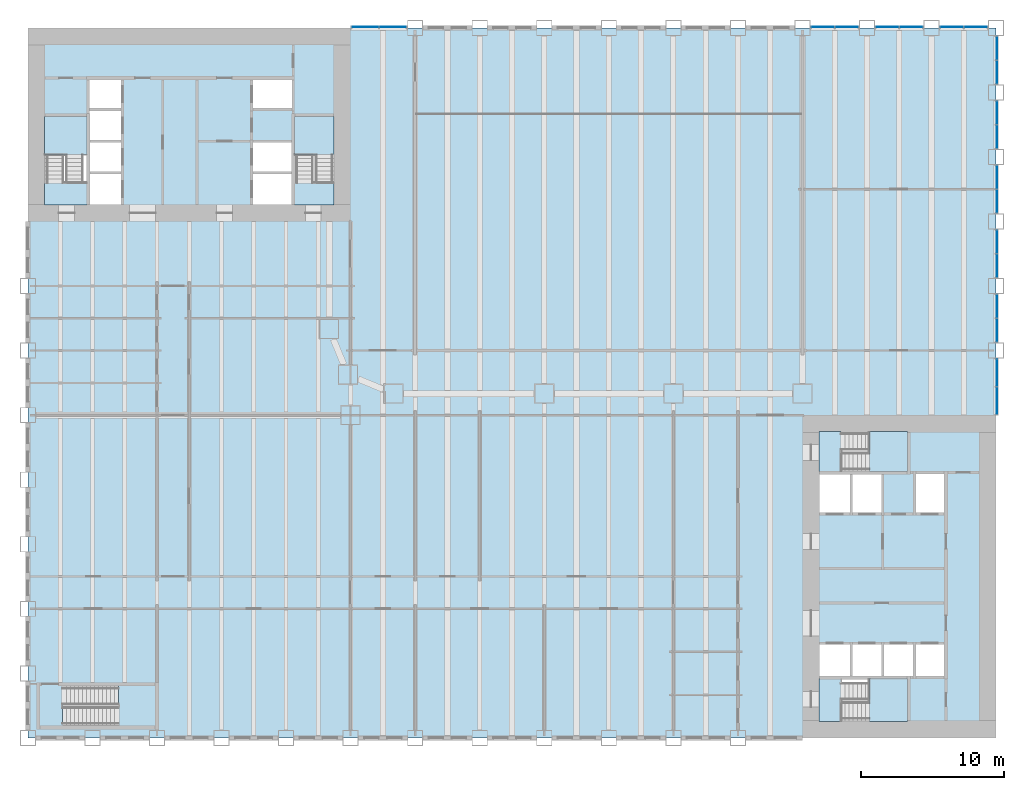
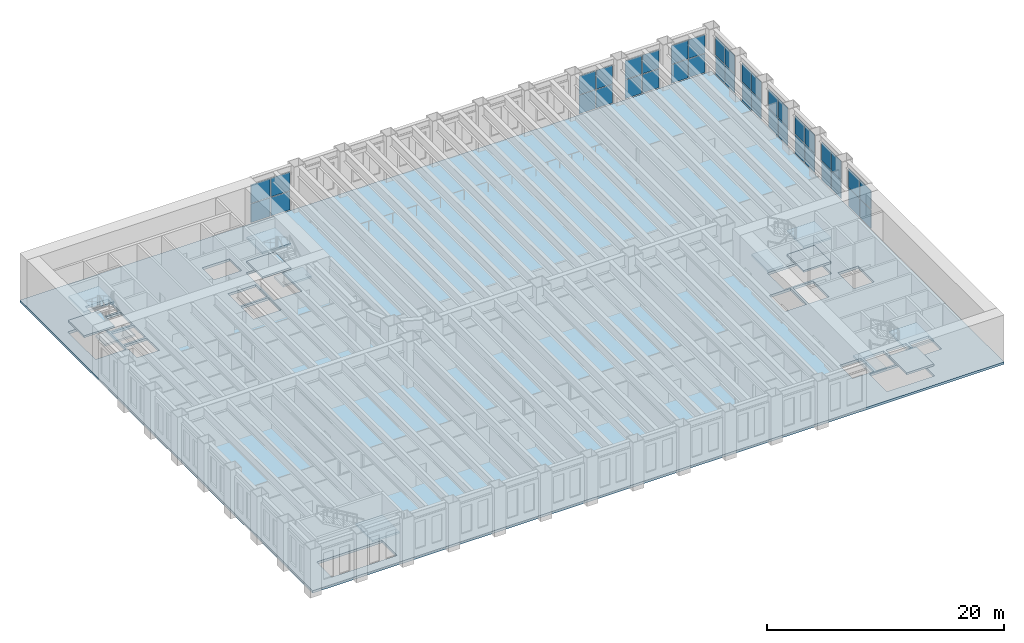
# One storey, part 6 of 19: 40 plates, 14 slabs, 15 elements without a shape of their own.
"""IFC4 building model written with IfcOpenShell, lengths in metres."""

from ifc_helpers import new_model, si_unit, direction, frame, origin, origin_2d, place, context, subcontext, project, spatial, polyline, rectangle, outline, extrude, material, layer, layer_set, type_object, element, aggregate, save


model = new_model("IFC4")

# Units and contexts
model_context = context("Model", 3, precision=1e-05, world=origin(), true_north=direction((0.0, 1.0)))
body_context = subcontext(model_context, "Body", "Model", "MODEL_VIEW")
ifc_project = project(units=[si_unit("LENGTHUNIT", "METRE"), si_unit("AREAUNIT", "SQUARE_METRE"), si_unit("VOLUMEUNIT", "CUBIC_METRE"), si_unit("PLANEANGLEUNIT", "RADIAN"), si_unit("MASSUNIT", "GRAM", prefix="KILO")], contexts=[model_context])

# Site, building, storey
site_placement = place(None, origin())
site = spatial("IfcSite", under=ifc_project, at=site_placement, CompositionType="ELEMENT")
building_placement = place(site_placement, origin())
building = spatial("IfcBuilding", under=site, at=building_placement, Name="Sennacour Bend Tower", CompositionType="ELEMENT")
storey_placement = place(building_placement, frame((0.0, 0.0, 14.0)))
storey = spatial("IfcBuildingStorey", under=building, at=storey_placement, Name="L02", CompositionType="ELEMENT", Elevation=14.0)

# Slab
ifc_material_1 = material(Name="Concrete C30/37", Category="concrete")
ifc_layer_1 = layer(ifc_material_1, 0.25, Name="Concrete C30/37", Category="concrete")
ifc_layer_set_1 = layer_set([ifc_layer_1], Name="Concrete C30/37")
slab_type_1 = type_object("IfcSlabType", Name="Floor slab 250", PredefinedType="FLOOR", material=ifc_layer_set_1)
slab_1_placement = place(storey_placement, frame((0.0, 0.0, -0.25)))
element("IfcSlab", 1, at=slab_1_placement, inside=storey, type_object=slab_type_1, Name="Floor slab L02-01", PredefinedType="FLOOR", context=body_context, shape_type="SweptSolid", body=[
    extrude(outline(polyline([(0.0, 0.0), (0.0, 49.5), (67.5, 49.5), (67.5, 0.0), (0.0, 0.0)]), holes=[polyline([(8.800048828125, 0.949951171875), (8.800048828125, 3.5), (2.429931640625, 3.5), (2.429931640625, 0.949951171875), (8.800048828125, 0.949951171875)]), polyline([(6.5, 37.199951171875), (6.5, 39.300048828125), (4.300048828125, 39.300048828125), (4.300048828125, 37.199951171875), (6.5, 37.199951171875)]), polyline([(18.39990234375, 37.199951171875), (18.39990234375, 39.300048828125), (15.699951171875, 39.300048828125), (15.699951171875, 37.199951171875), (18.39990234375, 37.199951171875)]), polyline([(6.5, 39.5), (6.5, 41.5), (4.300048828125, 41.5), (4.300048828125, 39.5), (6.5, 39.5)]), polyline([(18.39990234375, 39.5), (18.39990234375, 41.5), (15.699951171875, 41.5), (15.699951171875, 39.5), (18.39990234375, 39.5)]), polyline([(4.125, 38.72998046875), (4.125, 43.39990234375), (1.14990234375, 43.39990234375), (1.14990234375, 38.72998046875), (4.125, 38.72998046875)]), polyline([(21.35009765625, 38.72998046875), (21.35009765625, 43.39990234375), (18.574951171875, 43.39990234375), (18.574951171875, 38.72998046875), (21.35009765625, 38.72998046875)]), polyline([(4.300048828125, 41.699951171875), (6.5, 41.699951171875), (6.5, 43.699951171875), (4.300048828125, 43.699951171875), (4.300048828125, 41.699951171875)]), polyline([(4.300048828125, 43.89990234375), (6.5, 43.89990234375), (6.5, 45.89990234375), (4.300048828125, 45.89990234375), (4.300048828125, 43.89990234375)]), polyline([(18.39990234375, 43.89990234375), (18.39990234375, 45.89990234375), (15.699951171875, 45.89990234375), (15.699951171875, 43.89990234375), (18.39990234375, 43.89990234375)]), polyline([(61.39990234375, 1.14990234375), (61.39990234375, 4.125), (56.72998046875, 4.125), (56.72998046875, 1.14990234375), (61.39990234375, 1.14990234375)]), polyline([(57.300048828125, 4.300048828125), (57.300048828125, 6.5), (55.199951171875, 6.5), (55.199951171875, 4.300048828125), (57.300048828125, 4.300048828125)]), polyline([(57.5, 4.300048828125), (59.5, 4.300048828125), (59.5, 6.5), (57.5, 6.5), (57.5, 4.300048828125)]), polyline([(59.699951171875, 4.300048828125), (61.699951171875, 4.300048828125), (61.699951171875, 6.5), (59.699951171875, 6.5), (59.699951171875, 4.300048828125)]), polyline([(63.89990234375, 4.300048828125), (63.89990234375, 6.5), (61.89990234375, 6.5), (61.89990234375, 4.300048828125), (63.89990234375, 4.300048828125)]), polyline([(57.300048828125, 15.699951171875), (57.300048828125, 18.39990234375), (55.199951171875, 18.39990234375), (55.199951171875, 15.699951171875), (57.300048828125, 15.699951171875)]), polyline([(59.5, 15.699951171875), (59.5, 18.39990234375), (57.5, 18.39990234375), (57.5, 15.699951171875), (59.5, 15.699951171875)]), polyline([(61.89990234375, 15.699951171875), (63.89990234375, 15.699951171875), (63.89990234375, 18.39990234375), (61.89990234375, 18.39990234375), (61.89990234375, 15.699951171875)]), polyline([(56.72998046875, 18.574951171875), (61.39990234375, 18.574951171875), (61.39990234375, 21.35009765625), (56.72998046875, 21.35009765625), (56.72998046875, 18.574951171875)])]), origin(), (0.0, 0.0, 1.0), 0.25),
])

# Curtain wall, plates
ifc_material_2 = material(Name="Bronze anodised aluminium curtain wall with clear glass", Category="aluminium")
curtain_wall_type = type_object("IfcCurtainWallType", Name="CURTAIN WALL NOTCH", PredefinedType="NOTDEFINED", material=ifc_material_2)
curtain_wall_1_placement = place(storey_placement, origin())
curtain_wall_1 = element("IfcCurtainWall", 2, at=curtain_wall_1_placement, inside=storey, type_object=curtain_wall_type, Name="Podium glass wall L02", PredefinedType="NOTDEFINED")
ifc_material_3 = material(Name="Clear low-emissivity glass", Category="glass")
ifc_layer_2 = layer(ifc_material_3, 0.031982421875, Name="Clear low-emissivity glass", Category="glass")
ifc_layer_set_2 = layer_set([ifc_layer_2], Name="Clear low-emissivity glass")
plate_type = type_object("IfcPlateType", Name="PNL-GLASS-IGU32", PredefinedType="CURTAIN_PANEL", material=ifc_layer_set_2)
plate_1_placement = place(storey_placement, frame((67.550048828125, 23.503173828125, 0.06005859375), z_axis=(0.0, 0.0, 1.0), x_axis=(0.0, 1.0, 0.0)))
plate_1 = element("IfcPlate", 3, at=plate_1_placement, type_object=plate_type, Name="GW2 curtain wall panel 1.1", PredefinedType="CURTAIN_PANEL", context=body_context, shape_type="SweptSolid", body=[
    extrude(rectangle(XDim=1.884521484375, YDim=0.031982421875, at=origin_2d()), origin(), (0.0, 0.0, 1.0), 1.927978515625),
])
plate_2_placement = place(storey_placement, frame((67.550048828125, 23.503173828125, 2.0478515625), z_axis=(0.0, 0.0, 1.0), x_axis=(0.0, 1.0, 0.0)))
plate_2 = element("IfcPlate", 4, at=plate_2_placement, type_object=plate_type, Name="GW2 curtain wall panel 1.2", PredefinedType="CURTAIN_PANEL", context=body_context, shape_type="SweptSolid", body=[
    extrude(rectangle(XDim=1.884521484375, YDim=0.031982421875, at=origin_2d()), origin(), (0.0, 0.0, 1.0), 1.927978515625),
])
plate_3_placement = place(storey_placement, frame((67.550048828125, 25.44775390625, 0.06005859375), z_axis=(0.0, 0.0, 1.0), x_axis=(0.0, 1.0, 0.0)))
plate_3 = element("IfcPlate", 5, at=plate_3_placement, type_object=plate_type, Name="GW2 curtain wall panel 2.1", PredefinedType="CURTAIN_PANEL", context=body_context, shape_type="SweptSolid", body=[
    extrude(rectangle(XDim=1.884521484375, YDim=0.031982421875, at=origin_2d()), origin(), (0.0, 0.0, 1.0), 1.927978515625),
])
plate_4_placement = place(storey_placement, frame((67.550048828125, 25.44775390625, 2.0478515625), z_axis=(0.0, 0.0, 1.0), x_axis=(0.0, 1.0, 0.0)))
plate_4 = element("IfcPlate", 6, at=plate_4_placement, type_object=plate_type, Name="GW2 curtain wall panel 2.2", PredefinedType="CURTAIN_PANEL", context=body_context, shape_type="SweptSolid", body=[
    extrude(rectangle(XDim=1.884521484375, YDim=0.031982421875, at=origin_2d()), origin(), (0.0, 0.0, 1.0), 1.927978515625),
])
aggregate(curtain_wall_1, [plate_1, plate_2, plate_3, plate_4])

curtain_wall_2_placement = place(storey_placement, origin())
curtain_wall_2 = element("IfcCurtainWall", 7, at=curtain_wall_2_placement, inside=storey, type_object=curtain_wall_type, Name="Podium glass wall L02", PredefinedType="NOTDEFINED")
plate_5_placement = place(storey_placement, frame((67.550048828125, 28.4150390625, 0.06005859375), z_axis=(0.0, 0.0, 1.0), x_axis=(0.0, 1.0, 0.0)))
plate_5 = element("IfcPlate", 8, at=plate_5_placement, type_object=plate_type, Name="GW2 curtain wall panel 1.1", PredefinedType="CURTAIN_PANEL", context=body_context, shape_type="SweptSolid", body=[
    extrude(rectangle(XDim=1.610107421875, YDim=0.031982421875, at=origin_2d()), origin(), (0.0, 0.0, 1.0), 1.927978515625),
])
plate_6_placement = place(storey_placement, frame((67.550048828125, 28.4150390625, 2.0478515625), z_axis=(0.0, 0.0, 1.0), x_axis=(0.0, 1.0, 0.0)))
plate_6 = element("IfcPlate", 9, at=plate_6_placement, type_object=plate_type, Name="GW2 curtain wall panel 1.2", PredefinedType="CURTAIN_PANEL", context=body_context, shape_type="SweptSolid", body=[
    extrude(rectangle(XDim=1.610107421875, YDim=0.031982421875, at=origin_2d()), origin(), (0.0, 0.0, 1.0), 1.927978515625),
])
plate_7_placement = place(storey_placement, frame((67.550048828125, 30.0849609375, 0.06005859375), z_axis=(0.0, 0.0, 1.0), x_axis=(0.0, 1.0, 0.0)))
plate_7 = element("IfcPlate", 10, at=plate_7_placement, type_object=plate_type, Name="GW2 curtain wall panel 2.1", PredefinedType="CURTAIN_PANEL", context=body_context, shape_type="SweptSolid", body=[
    extrude(rectangle(XDim=1.610107421875, YDim=0.031982421875, at=origin_2d()), origin(), (0.0, 0.0, 1.0), 1.927978515625),
])
plate_8_placement = place(storey_placement, frame((67.550048828125, 30.0849609375, 2.0478515625), z_axis=(0.0, 0.0, 1.0), x_axis=(0.0, 1.0, 0.0)))
plate_8 = element("IfcPlate", 11, at=plate_8_placement, type_object=plate_type, Name="GW2 curtain wall panel 2.2", PredefinedType="CURTAIN_PANEL", context=body_context, shape_type="SweptSolid", body=[
    extrude(rectangle(XDim=1.610107421875, YDim=0.031982421875, at=origin_2d()), origin(), (0.0, 0.0, 1.0), 1.927978515625),
])
aggregate(curtain_wall_2, [plate_5, plate_6, plate_7, plate_8])

curtain_wall_3_placement = place(storey_placement, origin())
curtain_wall_3 = element("IfcCurtainWall", 12, at=curtain_wall_3_placement, inside=storey, type_object=curtain_wall_type, Name="Podium glass wall L02", PredefinedType="NOTDEFINED")
plate_9_placement = place(storey_placement, frame((67.550048828125, 32.9150390625, 0.06005859375), z_axis=(0.0, 0.0, 1.0), x_axis=(0.0, 1.0, 0.0)))
plate_9 = element("IfcPlate", 13, at=plate_9_placement, type_object=plate_type, Name="GW2 curtain wall panel 1.1", PredefinedType="CURTAIN_PANEL", context=body_context, shape_type="SweptSolid", body=[
    extrude(rectangle(XDim=1.610107421875, YDim=0.031982421875, at=origin_2d()), origin(), (0.0, 0.0, 1.0), 1.927978515625),
])
plate_10_placement = place(storey_placement, frame((67.550048828125, 32.9150390625, 2.0478515625), z_axis=(0.0, 0.0, 1.0), x_axis=(0.0, 1.0, 0.0)))
plate_10 = element("IfcPlate", 14, at=plate_10_placement, type_object=plate_type, Name="GW2 curtain wall panel 1.2", PredefinedType="CURTAIN_PANEL", context=body_context, shape_type="SweptSolid", body=[
    extrude(rectangle(XDim=1.610107421875, YDim=0.031982421875, at=origin_2d()), origin(), (0.0, 0.0, 1.0), 1.927978515625),
])
plate_11_placement = place(storey_placement, frame((67.550048828125, 34.5849609375, 0.06005859375), z_axis=(0.0, 0.0, 1.0), x_axis=(0.0, 1.0, 0.0)))
plate_11 = element("IfcPlate", 15, at=plate_11_placement, type_object=plate_type, Name="GW2 curtain wall panel 2.1", PredefinedType="CURTAIN_PANEL", context=body_context, shape_type="SweptSolid", body=[
    extrude(rectangle(XDim=1.610107421875, YDim=0.031982421875, at=origin_2d()), origin(), (0.0, 0.0, 1.0), 1.927978515625),
])
plate_12_placement = place(storey_placement, frame((67.550048828125, 34.5849609375, 2.0478515625), z_axis=(0.0, 0.0, 1.0), x_axis=(0.0, 1.0, 0.0)))
plate_12 = element("IfcPlate", 16, at=plate_12_placement, type_object=plate_type, Name="GW2 curtain wall panel 2.2", PredefinedType="CURTAIN_PANEL", context=body_context, shape_type="SweptSolid", body=[
    extrude(rectangle(XDim=1.610107421875, YDim=0.031982421875, at=origin_2d()), origin(), (0.0, 0.0, 1.0), 1.927978515625),
])
aggregate(curtain_wall_3, [plate_9, plate_10, plate_11, plate_12])

curtain_wall_4_placement = place(storey_placement, origin())
curtain_wall_4 = element("IfcCurtainWall", 17, at=curtain_wall_4_placement, inside=storey, type_object=curtain_wall_type, Name="Podium glass wall L02", PredefinedType="NOTDEFINED")
plate_13_placement = place(storey_placement, frame((67.550048828125, 37.4150390625, 0.06005859375), z_axis=(0.0, 0.0, 1.0), x_axis=(0.0, 1.0, 0.0)))
plate_13 = element("IfcPlate", 18, at=plate_13_placement, type_object=plate_type, Name="GW2 curtain wall panel 1.1", PredefinedType="CURTAIN_PANEL", context=body_context, shape_type="SweptSolid", body=[
    extrude(rectangle(XDim=1.610107421875, YDim=0.031982421875, at=origin_2d()), origin(), (0.0, 0.0, 1.0), 1.927978515625),
])
plate_14_placement = place(storey_placement, frame((67.550048828125, 37.4150390625, 2.0478515625), z_axis=(0.0, 0.0, 1.0), x_axis=(0.0, 1.0, 0.0)))
plate_14 = element("IfcPlate", 19, at=plate_14_placement, type_object=plate_type, Name="GW2 curtain wall panel 1.2", PredefinedType="CURTAIN_PANEL", context=body_context, shape_type="SweptSolid", body=[
    extrude(rectangle(XDim=1.610107421875, YDim=0.031982421875, at=origin_2d()), origin(), (0.0, 0.0, 1.0), 1.927978515625),
])
plate_15_placement = place(storey_placement, frame((67.550048828125, 39.0849609375, 0.06005859375), z_axis=(0.0, 0.0, 1.0), x_axis=(0.0, 1.0, 0.0)))
plate_15 = element("IfcPlate", 20, at=plate_15_placement, type_object=plate_type, Name="GW2 curtain wall panel 2.1", PredefinedType="CURTAIN_PANEL", context=body_context, shape_type="SweptSolid", body=[
    extrude(rectangle(XDim=1.610107421875, YDim=0.031982421875, at=origin_2d()), origin(), (0.0, 0.0, 1.0), 1.927978515625),
])
plate_16_placement = place(storey_placement, frame((67.550048828125, 39.0849609375, 2.0478515625), z_axis=(0.0, 0.0, 1.0), x_axis=(0.0, 1.0, 0.0)))
plate_16 = element("IfcPlate", 21, at=plate_16_placement, type_object=plate_type, Name="GW2 curtain wall panel 2.2", PredefinedType="CURTAIN_PANEL", context=body_context, shape_type="SweptSolid", body=[
    extrude(rectangle(XDim=1.610107421875, YDim=0.031982421875, at=origin_2d()), origin(), (0.0, 0.0, 1.0), 1.927978515625),
])
aggregate(curtain_wall_4, [plate_13, plate_14, plate_15, plate_16])

curtain_wall_5_placement = place(storey_placement, origin())
curtain_wall_5 = element("IfcCurtainWall", 22, at=curtain_wall_5_placement, inside=storey, type_object=curtain_wall_type, Name="Podium glass wall L02", PredefinedType="NOTDEFINED")
plate_17_placement = place(storey_placement, frame((67.550048828125, 41.9150390625, 0.06005859375), z_axis=(0.0, 0.0, 1.0), x_axis=(0.0, 1.0, 0.0)))
plate_17 = element("IfcPlate", 23, at=plate_17_placement, type_object=plate_type, Name="GW2 curtain wall panel 1.1", PredefinedType="CURTAIN_PANEL", context=body_context, shape_type="SweptSolid", body=[
    extrude(rectangle(XDim=1.610107421875, YDim=0.031982421875, at=origin_2d()), origin(), (0.0, 0.0, 1.0), 1.927978515625),
])
plate_18_placement = place(storey_placement, frame((67.550048828125, 41.9150390625, 2.0478515625), z_axis=(0.0, 0.0, 1.0), x_axis=(0.0, 1.0, 0.0)))
plate_18 = element("IfcPlate", 24, at=plate_18_placement, type_object=plate_type, Name="GW2 curtain wall panel 1.2", PredefinedType="CURTAIN_PANEL", context=body_context, shape_type="SweptSolid", body=[
    extrude(rectangle(XDim=1.610107421875, YDim=0.031982421875, at=origin_2d()), origin(), (0.0, 0.0, 1.0), 1.927978515625),
])
plate_19_placement = place(storey_placement, frame((67.550048828125, 43.5849609375, 0.06005859375), z_axis=(0.0, 0.0, 1.0), x_axis=(0.0, 1.0, 0.0)))
plate_19 = element("IfcPlate", 25, at=plate_19_placement, type_object=plate_type, Name="GW2 curtain wall panel 2.1", PredefinedType="CURTAIN_PANEL", context=body_context, shape_type="SweptSolid", body=[
    extrude(rectangle(XDim=1.610107421875, YDim=0.031982421875, at=origin_2d()), origin(), (0.0, 0.0, 1.0), 1.927978515625),
])
plate_20_placement = place(storey_placement, frame((67.550048828125, 43.5849609375, 2.0478515625), z_axis=(0.0, 0.0, 1.0), x_axis=(0.0, 1.0, 0.0)))
plate_20 = element("IfcPlate", 26, at=plate_20_placement, type_object=plate_type, Name="GW2 curtain wall panel 2.2", PredefinedType="CURTAIN_PANEL", context=body_context, shape_type="SweptSolid", body=[
    extrude(rectangle(XDim=1.610107421875, YDim=0.031982421875, at=origin_2d()), origin(), (0.0, 0.0, 1.0), 1.927978515625),
])
aggregate(curtain_wall_5, [plate_17, plate_18, plate_19, plate_20])

curtain_wall_6_placement = place(storey_placement, origin())
curtain_wall_6 = element("IfcCurtainWall", 27, at=curtain_wall_6_placement, inside=storey, type_object=curtain_wall_type, Name="Podium glass wall L02", PredefinedType="NOTDEFINED")
plate_21_placement = place(storey_placement, frame((67.550048828125, 46.4150390625, 0.06005859375), z_axis=(0.0, 0.0, 1.0), x_axis=(0.0, 1.0, 0.0)))
plate_21 = element("IfcPlate", 28, at=plate_21_placement, type_object=plate_type, Name="GW2 curtain wall panel 1.1", PredefinedType="CURTAIN_PANEL", context=body_context, shape_type="SweptSolid", body=[
    extrude(rectangle(XDim=1.610107421875, YDim=0.031982421875, at=origin_2d()), origin(), (0.0, 0.0, 1.0), 1.927978515625),
])
plate_22_placement = place(storey_placement, frame((67.550048828125, 46.4150390625, 2.0478515625), z_axis=(0.0, 0.0, 1.0), x_axis=(0.0, 1.0, 0.0)))
plate_22 = element("IfcPlate", 29, at=plate_22_placement, type_object=plate_type, Name="GW2 curtain wall panel 1.2", PredefinedType="CURTAIN_PANEL", context=body_context, shape_type="SweptSolid", body=[
    extrude(rectangle(XDim=1.610107421875, YDim=0.031982421875, at=origin_2d()), origin(), (0.0, 0.0, 1.0), 1.927978515625),
])
plate_23_placement = place(storey_placement, frame((67.550048828125, 48.0849609375, 0.06005859375), z_axis=(0.0, 0.0, 1.0), x_axis=(0.0, 1.0, 0.0)))
plate_23 = element("IfcPlate", 30, at=plate_23_placement, type_object=plate_type, Name="GW2 curtain wall panel 2.1", PredefinedType="CURTAIN_PANEL", context=body_context, shape_type="SweptSolid", body=[
    extrude(rectangle(XDim=1.610107421875, YDim=0.031982421875, at=origin_2d()), origin(), (0.0, 0.0, 1.0), 1.927978515625),
])
plate_24_placement = place(storey_placement, frame((67.550048828125, 48.0849609375, 2.0478515625), z_axis=(0.0, 0.0, 1.0), x_axis=(0.0, 1.0, 0.0)))
plate_24 = element("IfcPlate", 31, at=plate_24_placement, type_object=plate_type, Name="GW2 curtain wall panel 2.2", PredefinedType="CURTAIN_PANEL", context=body_context, shape_type="SweptSolid", body=[
    extrude(rectangle(XDim=1.610107421875, YDim=0.031982421875, at=origin_2d()), origin(), (0.0, 0.0, 1.0), 1.927978515625),
])
aggregate(curtain_wall_6, [plate_21, plate_22, plate_23, plate_24])

curtain_wall_7_placement = place(storey_placement, origin())
curtain_wall_7 = element("IfcCurtainWall", 32, at=curtain_wall_7_placement, inside=storey, type_object=curtain_wall_type, Name="Podium glass wall L02", PredefinedType="NOTDEFINED")
plate_25_placement = place(storey_placement, frame((66.0849609375, 49.550048828125, 0.06005859375), z_axis=(0.0, 0.0, 1.0), x_axis=(-1.0, 0.0, 0.0)))
plate_25 = element("IfcPlate", 33, at=plate_25_placement, type_object=plate_type, Name="GW2 curtain wall panel 1.1", PredefinedType="CURTAIN_PANEL", context=body_context, shape_type="SweptSolid", body=[
    extrude(rectangle(XDim=1.610107421875, YDim=0.031982421875, at=origin_2d()), origin(), (0.0, 0.0, 1.0), 1.927978515625),
])
plate_26_placement = place(storey_placement, frame((66.0849609375, 49.550048828125, 2.0478515625), z_axis=(0.0, 0.0, 1.0), x_axis=(-1.0, 0.0, 0.0)))
plate_26 = element("IfcPlate", 34, at=plate_26_placement, type_object=plate_type, Name="GW2 curtain wall panel 1.2", PredefinedType="CURTAIN_PANEL", context=body_context, shape_type="SweptSolid", body=[
    extrude(rectangle(XDim=1.610107421875, YDim=0.031982421875, at=origin_2d()), origin(), (0.0, 0.0, 1.0), 1.927978515625),
])
plate_27_placement = place(storey_placement, frame((64.4150390625, 49.550048828125, 0.06005859375), z_axis=(0.0, 0.0, 1.0), x_axis=(-1.0, 0.0, 0.0)))
plate_27 = element("IfcPlate", 35, at=plate_27_placement, type_object=plate_type, Name="GW2 curtain wall panel 2.1", PredefinedType="CURTAIN_PANEL", context=body_context, shape_type="SweptSolid", body=[
    extrude(rectangle(XDim=1.610107421875, YDim=0.031982421875, at=origin_2d()), origin(), (0.0, 0.0, 1.0), 1.927978515625),
])
plate_28_placement = place(storey_placement, frame((64.4150390625, 49.550048828125, 2.0478515625), z_axis=(0.0, 0.0, 1.0), x_axis=(-1.0, 0.0, 0.0)))
plate_28 = element("IfcPlate", 36, at=plate_28_placement, type_object=plate_type, Name="GW2 curtain wall panel 2.2", PredefinedType="CURTAIN_PANEL", context=body_context, shape_type="SweptSolid", body=[
    extrude(rectangle(XDim=1.610107421875, YDim=0.031982421875, at=origin_2d()), origin(), (0.0, 0.0, 1.0), 1.927978515625),
])
aggregate(curtain_wall_7, [plate_25, plate_26, plate_27, plate_28])

curtain_wall_8_placement = place(storey_placement, origin())
curtain_wall_8 = element("IfcCurtainWall", 37, at=curtain_wall_8_placement, inside=storey, type_object=curtain_wall_type, Name="Podium glass wall L02", PredefinedType="NOTDEFINED")
plate_29_placement = place(storey_placement, frame((61.5849609375, 49.550048828125, 0.06005859375), z_axis=(0.0, 0.0, 1.0), x_axis=(-1.0, 0.0, 0.0)))
plate_29 = element("IfcPlate", 38, at=plate_29_placement, type_object=plate_type, Name="GW2 curtain wall panel 1.1", PredefinedType="CURTAIN_PANEL", context=body_context, shape_type="SweptSolid", body=[
    extrude(rectangle(XDim=1.610107421875, YDim=0.031982421875, at=origin_2d()), origin(), (0.0, 0.0, 1.0), 1.927978515625),
])
plate_30_placement = place(storey_placement, frame((61.5849609375, 49.550048828125, 2.0478515625), z_axis=(0.0, 0.0, 1.0), x_axis=(-1.0, 0.0, 0.0)))
plate_30 = element("IfcPlate", 39, at=plate_30_placement, type_object=plate_type, Name="GW2 curtain wall panel 1.2", PredefinedType="CURTAIN_PANEL", context=body_context, shape_type="SweptSolid", body=[
    extrude(rectangle(XDim=1.610107421875, YDim=0.031982421875, at=origin_2d()), origin(), (0.0, 0.0, 1.0), 1.927978515625),
])
plate_31_placement = place(storey_placement, frame((59.9150390625, 49.550048828125, 0.06005859375), z_axis=(0.0, 0.0, 1.0), x_axis=(-1.0, 0.0, 0.0)))
plate_31 = element("IfcPlate", 40, at=plate_31_placement, type_object=plate_type, Name="GW2 curtain wall panel 2.1", PredefinedType="CURTAIN_PANEL", context=body_context, shape_type="SweptSolid", body=[
    extrude(rectangle(XDim=1.610107421875, YDim=0.031982421875, at=origin_2d()), origin(), (0.0, 0.0, 1.0), 1.927978515625),
])
plate_32_placement = place(storey_placement, frame((59.9150390625, 49.550048828125, 2.0478515625), z_axis=(0.0, 0.0, 1.0), x_axis=(-1.0, 0.0, 0.0)))
plate_32 = element("IfcPlate", 41, at=plate_32_placement, type_object=plate_type, Name="GW2 curtain wall panel 2.2", PredefinedType="CURTAIN_PANEL", context=body_context, shape_type="SweptSolid", body=[
    extrude(rectangle(XDim=1.610107421875, YDim=0.031982421875, at=origin_2d()), origin(), (0.0, 0.0, 1.0), 1.927978515625),
])
aggregate(curtain_wall_8, [plate_29, plate_30, plate_31, plate_32])

curtain_wall_9_placement = place(storey_placement, origin())
curtain_wall_9 = element("IfcCurtainWall", 42, at=curtain_wall_9_placement, inside=storey, type_object=curtain_wall_type, Name="Podium glass wall L02", PredefinedType="NOTDEFINED")
plate_33_placement = place(storey_placement, frame((57.0849609375, 49.550048828125, 0.06005859375), z_axis=(0.0, 0.0, 1.0), x_axis=(-1.0, 0.0, 0.0)))
plate_33 = element("IfcPlate", 43, at=plate_33_placement, type_object=plate_type, Name="GW2 curtain wall panel 1.1", PredefinedType="CURTAIN_PANEL", context=body_context, shape_type="SweptSolid", body=[
    extrude(rectangle(XDim=1.610107421875, YDim=0.031982421875, at=origin_2d()), origin(), (0.0, 0.0, 1.0), 1.927978515625),
])
plate_34_placement = place(storey_placement, frame((57.0849609375, 49.550048828125, 2.0478515625), z_axis=(0.0, 0.0, 1.0), x_axis=(-1.0, 0.0, 0.0)))
plate_34 = element("IfcPlate", 44, at=plate_34_placement, type_object=plate_type, Name="GW2 curtain wall panel 1.2", PredefinedType="CURTAIN_PANEL", context=body_context, shape_type="SweptSolid", body=[
    extrude(rectangle(XDim=1.610107421875, YDim=0.031982421875, at=origin_2d()), origin(), (0.0, 0.0, 1.0), 1.927978515625),
])
plate_35_placement = place(storey_placement, frame((55.4150390625, 49.550048828125, 0.06005859375), z_axis=(0.0, 0.0, 1.0), x_axis=(-1.0, 0.0, 0.0)))
plate_35 = element("IfcPlate", 45, at=plate_35_placement, type_object=plate_type, Name="GW2 curtain wall panel 2.1", PredefinedType="CURTAIN_PANEL", context=body_context, shape_type="SweptSolid", body=[
    extrude(rectangle(XDim=1.610107421875, YDim=0.031982421875, at=origin_2d()), origin(), (0.0, 0.0, 1.0), 1.927978515625),
])
plate_36_placement = place(storey_placement, frame((55.4150390625, 49.550048828125, 2.0478515625), z_axis=(0.0, 0.0, 1.0), x_axis=(-1.0, 0.0, 0.0)))
plate_36 = element("IfcPlate", 46, at=plate_36_placement, type_object=plate_type, Name="GW2 curtain wall panel 2.2", PredefinedType="CURTAIN_PANEL", context=body_context, shape_type="SweptSolid", body=[
    extrude(rectangle(XDim=1.610107421875, YDim=0.031982421875, at=origin_2d()), origin(), (0.0, 0.0, 1.0), 1.927978515625),
])
aggregate(curtain_wall_9, [plate_33, plate_34, plate_35, plate_36])

curtain_wall_10_placement = place(storey_placement, origin())
curtain_wall_10 = element("IfcCurtainWall", 47, at=curtain_wall_10_placement, inside=storey, type_object=curtain_wall_type, Name="Podium glass wall L02", PredefinedType="NOTDEFINED")
plate_37_placement = place(storey_placement, frame((25.44775390625, 49.550048828125, 0.06005859375), z_axis=(0.0, 0.0, 1.0), x_axis=(-1.0, 0.0, 0.0)))
plate_37 = element("IfcPlate", 48, at=plate_37_placement, type_object=plate_type, Name="GW2 curtain wall panel 1.1", PredefinedType="CURTAIN_PANEL", context=body_context, shape_type="SweptSolid", body=[
    extrude(rectangle(XDim=1.884521484375, YDim=0.031982421875, at=origin_2d()), origin(), (0.0, 0.0, 1.0), 1.927978515625),
])
plate_38_placement = place(storey_placement, frame((25.44775390625, 49.550048828125, 2.0478515625), z_axis=(0.0, 0.0, 1.0), x_axis=(-1.0, 0.0, 0.0)))
plate_38 = element("IfcPlate", 49, at=plate_38_placement, type_object=plate_type, Name="GW2 curtain wall panel 1.2", PredefinedType="CURTAIN_PANEL", context=body_context, shape_type="SweptSolid", body=[
    extrude(rectangle(XDim=1.884521484375, YDim=0.031982421875, at=origin_2d()), origin(), (0.0, 0.0, 1.0), 1.927978515625),
])
plate_39_placement = place(storey_placement, frame((23.503173828125, 49.550048828125, 0.06005859375), z_axis=(0.0, 0.0, 1.0), x_axis=(-1.0, 0.0, 0.0)))
plate_39 = element("IfcPlate", 50, at=plate_39_placement, type_object=plate_type, Name="GW2 curtain wall panel 2.1", PredefinedType="CURTAIN_PANEL", context=body_context, shape_type="SweptSolid", body=[
    extrude(rectangle(XDim=1.884521484375, YDim=0.031982421875, at=origin_2d()), origin(), (0.0, 0.0, 1.0), 1.927978515625),
])
plate_40_placement = place(storey_placement, frame((23.503173828125, 49.550048828125, 2.0478515625), z_axis=(0.0, 0.0, 1.0), x_axis=(-1.0, 0.0, 0.0)))
plate_40 = element("IfcPlate", 51, at=plate_40_placement, type_object=plate_type, Name="GW2 curtain wall panel 2.2", PredefinedType="CURTAIN_PANEL", context=body_context, shape_type="SweptSolid", body=[
    extrude(rectangle(XDim=1.884521484375, YDim=0.031982421875, at=origin_2d()), origin(), (0.0, 0.0, 1.0), 1.927978515625),
])
aggregate(curtain_wall_10, [plate_37, plate_38, plate_39, plate_40])

# Stair, slabs
ifc_material_4 = material(Name="Concrete C40/50", Category="concrete")
stair_type = type_object("IfcStairType", Name="ST-DOGLEG", PredefinedType="HALF_TURN_STAIR", material=ifc_material_4)
stair_1_placement = place(storey_placement, origin())
stair_1 = element("IfcStair", 52, at=stair_1_placement, inside=storey, type_object=stair_type, Name="L02 Exit stair A1", PredefinedType="HALF_TURN_STAIR")
ifc_layer_3 = layer(ifc_material_4, 0.199951171875, Name="Concrete C40/50", Category="concrete")
ifc_layer_set_3 = layer_set([ifc_layer_3], Name="Concrete C40/50")
slab_type_2 = type_object("IfcSlabType", Name="Stair landing 200", PredefinedType="LANDING", material=ifc_layer_set_3)
slab_2_placement = place(storey_placement, frame((0.0, 0.0, 1.050048828125)))
slab_2 = element("IfcSlab", 53, at=slab_2_placement, type_object=slab_type_2, Name="SA1 landing 1", PredefinedType="LANDING", context=body_context, shape_type="SweptSolid", body=[
    extrude(outline(polyline([(58.659912109375, 1.14990234375), (61.324951171875, 1.14990234375), (61.324951171875, 4.125), (58.659912109375, 4.125), (58.659912109375, 1.14990234375)])), origin(), (0.0, 0.0, 1.0), 0.199951171875),
])
slab_3_placement = place(storey_placement, frame((0.0, 0.0, 2.300048828125)))
slab_3 = element("IfcSlab", 54, at=slab_3_placement, type_object=slab_type_2, Name="SA1 landing 2", PredefinedType="LANDING", context=body_context, shape_type="SweptSolid", body=[
    extrude(outline(polyline([(55.14990234375, 1.14990234375), (56.699951171875, 1.14990234375), (56.699951171875, 4.125), (55.14990234375, 4.125), (55.14990234375, 1.14990234375)])), origin(), (0.0, 0.0, 1.0), 0.199951171875),
])
slab_4_placement = place(storey_placement, frame((0.0, 0.0, 3.550048828125)))
slab_4 = element("IfcSlab", 55, at=slab_4_placement, type_object=slab_type_2, Name="SA1 landing 3", PredefinedType="LANDING", context=body_context, shape_type="SweptSolid", body=[
    extrude(outline(polyline([(58.659912109375, 1.14990234375), (61.324951171875, 1.14990234375), (61.324951171875, 4.125), (58.659912109375, 4.125), (58.659912109375, 1.14990234375)])), origin(), (0.0, 0.0, 1.0), 0.199951171875),
])
aggregate(stair_1, [slab_2, slab_3, slab_4])

stair_2_placement = place(storey_placement, origin())
stair_2 = element("IfcStair", 56, at=stair_2_placement, inside=storey, type_object=stair_type, Name="L02 Exit stair A2", PredefinedType="HALF_TURN_STAIR")
slab_5_placement = place(storey_placement, frame((0.0, 0.0, 1.050048828125)))
slab_5 = element("IfcSlab", 57, at=slab_5_placement, type_object=slab_type_2, Name="SA2 landing 1", PredefinedType="LANDING", context=body_context, shape_type="SweptSolid", body=[
    extrude(outline(polyline([(58.659912109375, 18.574951171875), (61.324951171875, 18.574951171875), (61.324951171875, 21.35009765625), (58.659912109375, 21.35009765625), (58.659912109375, 18.574951171875)])), origin(), (0.0, 0.0, 1.0), 0.199951171875),
])
slab_6_placement = place(storey_placement, frame((0.0, 0.0, 2.300048828125)))
slab_6 = element("IfcSlab", 58, at=slab_6_placement, type_object=slab_type_2, Name="SA2 landing 2", PredefinedType="LANDING", context=body_context, shape_type="SweptSolid", body=[
    extrude(outline(polyline([(55.14990234375, 18.574951171875), (56.699951171875, 18.574951171875), (56.699951171875, 21.35009765625), (55.14990234375, 21.35009765625), (55.14990234375, 18.574951171875)])), origin(), (0.0, 0.0, 1.0), 0.199951171875),
])
slab_7_placement = place(storey_placement, frame((0.0, 0.0, 3.550048828125)))
slab_7 = element("IfcSlab", 59, at=slab_7_placement, type_object=slab_type_2, Name="SA2 landing 3", PredefinedType="LANDING", context=body_context, shape_type="SweptSolid", body=[
    extrude(outline(polyline([(58.659912109375, 18.574951171875), (61.324951171875, 18.574951171875), (61.324951171875, 21.35009765625), (58.659912109375, 21.35009765625), (58.659912109375, 18.574951171875)])), origin(), (0.0, 0.0, 1.0), 0.199951171875),
])
aggregate(stair_2, [slab_5, slab_6, slab_7])

stair_3_placement = place(storey_placement, origin())
stair_3 = element("IfcStair", 60, at=stair_3_placement, inside=storey, type_object=stair_type, Name="L02 Exit stair B1", PredefinedType="HALF_TURN_STAIR")
slab_8_placement = place(storey_placement, frame((0.0, 0.0, 1.050048828125)))
slab_8 = element("IfcSlab", 61, at=slab_8_placement, type_object=slab_type_2, Name="SB1 landing 1", PredefinedType="LANDING", context=body_context, shape_type="SweptSolid", body=[
    extrude(outline(polyline([(1.14990234375, 40.659912109375), (4.125, 40.659912109375), (4.125, 43.324951171875), (1.14990234375, 43.324951171875), (1.14990234375, 40.659912109375)])), origin(), (0.0, 0.0, 1.0), 0.199951171875),
])
slab_9_placement = place(storey_placement, frame((0.0, 0.0, 2.300048828125)))
slab_9 = element("IfcSlab", 62, at=slab_9_placement, type_object=slab_type_2, Name="SB1 landing 2", PredefinedType="LANDING", context=body_context, shape_type="SweptSolid", body=[
    extrude(outline(polyline([(1.14990234375, 37.14990234375), (4.125, 37.14990234375), (4.125, 38.699951171875), (1.14990234375, 38.699951171875), (1.14990234375, 37.14990234375)])), origin(), (0.0, 0.0, 1.0), 0.199951171875),
])
slab_10_placement = place(storey_placement, frame((0.0, 0.0, 3.550048828125)))
slab_10 = element("IfcSlab", 63, at=slab_10_placement, type_object=slab_type_2, Name="SB1 landing 3", PredefinedType="LANDING", context=body_context, shape_type="SweptSolid", body=[
    extrude(outline(polyline([(1.14990234375, 40.659912109375), (4.125, 40.659912109375), (4.125, 43.324951171875), (1.14990234375, 43.324951171875), (1.14990234375, 40.659912109375)])), origin(), (0.0, 0.0, 1.0), 0.199951171875),
])
aggregate(stair_3, [slab_8, slab_9, slab_10])

stair_4_placement = place(storey_placement, origin())
stair_4 = element("IfcStair", 64, at=stair_4_placement, inside=storey, type_object=stair_type, Name="L02 Exit stair B2", PredefinedType="HALF_TURN_STAIR")
slab_11_placement = place(storey_placement, frame((0.0, 0.0, 1.050048828125)))
slab_11 = element("IfcSlab", 65, at=slab_11_placement, type_object=slab_type_2, Name="SB2 landing 1", PredefinedType="LANDING", context=body_context, shape_type="SweptSolid", body=[
    extrude(outline(polyline([(18.574951171875, 40.659912109375), (21.35009765625, 40.659912109375), (21.35009765625, 43.324951171875), (18.574951171875, 43.324951171875), (18.574951171875, 40.659912109375)])), origin(), (0.0, 0.0, 1.0), 0.199951171875),
])
slab_12_placement = place(storey_placement, frame((0.0, 0.0, 2.300048828125)))
slab_12 = element("IfcSlab", 66, at=slab_12_placement, type_object=slab_type_2, Name="SB2 landing 2", PredefinedType="LANDING", context=body_context, shape_type="SweptSolid", body=[
    extrude(outline(polyline([(18.574951171875, 37.14990234375), (21.35009765625, 37.14990234375), (21.35009765625, 38.699951171875), (18.574951171875, 38.699951171875), (18.574951171875, 37.14990234375)])), origin(), (0.0, 0.0, 1.0), 0.199951171875),
])
slab_13_placement = place(storey_placement, frame((0.0, 0.0, 3.550048828125)))
slab_13 = element("IfcSlab", 67, at=slab_13_placement, type_object=slab_type_2, Name="SB2 landing 3", PredefinedType="LANDING", context=body_context, shape_type="SweptSolid", body=[
    extrude(outline(polyline([(18.574951171875, 40.659912109375), (21.35009765625, 40.659912109375), (21.35009765625, 43.324951171875), (18.574951171875, 43.324951171875), (18.574951171875, 40.659912109375)])), origin(), (0.0, 0.0, 1.0), 0.199951171875),
])
aggregate(stair_4, [slab_11, slab_12, slab_13])

# Stair, slab
stair_5_placement = place(storey_placement, origin())
stair_5 = element("IfcStair", 68, at=stair_5_placement, inside=storey, type_object=stair_type, Name="L02 Exit stair K1", PredefinedType="HALF_TURN_STAIR")
slab_14_placement = place(storey_placement, frame((0.0, 0.0, 2.300048828125)))
slab_14 = element("IfcSlab", 69, at=slab_14_placement, type_object=slab_type_2, Name="SK1 landing 1", PredefinedType="LANDING", context=body_context, shape_type="SweptSolid", body=[
    extrude(outline(polyline([(6.320068359375, 0.800048828125), (8.925048828125, 0.800048828125), (8.925048828125, 3.675048828125), (6.320068359375, 3.675048828125), (6.320068359375, 0.800048828125)])), origin(), (0.0, 0.0, 1.0), 0.199951171875),
])
aggregate(stair_5, [slab_14])

save(model, "model.ifc")
